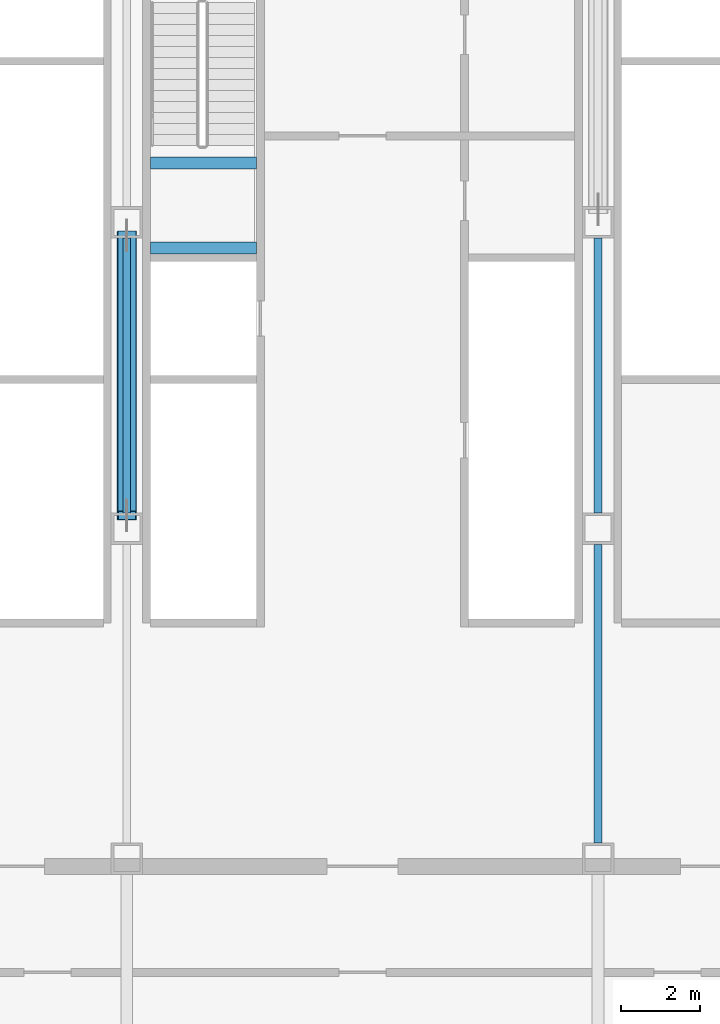
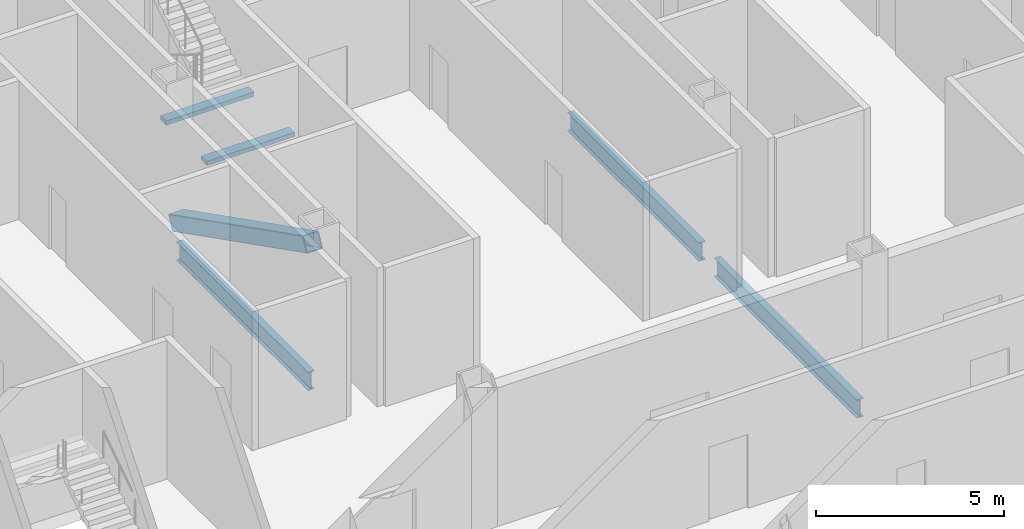
# One storey, part 12 of 34: 5 beams, 1 member.
"""IFC4 building model written with IfcOpenShell, lengths in metres."""

from ifc_helpers import new_model, si_unit, direction, frame, origin, origin_2d, place, context, subcontext, project, spatial, rectangle, hollow_rectangle, i_section, extrude, material, material_profile, profile_set, type_object, element, save


model = new_model("IFC4")

# Units and contexts
model_context = context("Model", 3, precision=1e-05, world=origin(), true_north=direction((0.0, 1.0)))
body_context = subcontext(model_context, "Body", "Model", "MODEL_VIEW")
ifc_project = project(units=[si_unit("LENGTHUNIT", "METRE"), si_unit("AREAUNIT", "SQUARE_METRE"), si_unit("VOLUMEUNIT", "CUBIC_METRE"), si_unit("PLANEANGLEUNIT", "RADIAN"), si_unit("MASSUNIT", "GRAM", prefix="KILO")], contexts=[model_context])

# Site, building, storey
site_placement = place(None, origin())
site = spatial("IfcSite", under=ifc_project, at=site_placement, CompositionType="ELEMENT")
building_placement = place(site_placement, origin())
building = spatial("IfcBuilding", under=site, at=building_placement, Name="Sorahane Residences", CompositionType="ELEMENT")
storey_placement = place(building_placement, frame((0.0, 0.0, 39.60009765625)))
storey = spatial("IfcBuildingStorey", under=building, at=storey_placement, Name="L06", CompositionType="ELEMENT", Elevation=39.60009765625)

# Member
ifc_material_1 = material(Name="Steel Q355B", Category="steel")
ifc_material_profile_1 = material_profile(ifc_material_1, hollow_rectangle(XDim=0.5, YDim=0.5, WallThickness=0.02490234375, InnerFilletRadius=0.012451171875, OuterFilletRadius=0.03759765625, at=origin_2d()), Name="RHS 500x500x25")
ifc_profile_set_1 = profile_set([ifc_material_profile_1], Name="Steel Q355B")
member_type = type_object("IfcMemberType", Name="Core brace RHS 500x500x25 Q355B", PredefinedType="BRACE", material=ifc_profile_set_1)
member_placement = place(storey_placement, frame((18.0, 37.4677734375, 0.215576171875), z_axis=(0.0, -0.891867740531, 0.452296289395), x_axis=(1.0, 0.0, 0.0)))
element("IfcMember", 1, at=member_placement, inside=storey, type_object=member_type, Name="Core brace L06 x18-1", PredefinedType="BRACE", context=body_context, shape_type="SweptSolid", body=[
    extrude(hollow_rectangle(XDim=0.5, YDim=0.5, WallThickness=0.02490234375, InnerFilletRadius=0.012451171875, OuterFilletRadius=0.03759765625, at=origin_2d()), origin(), (0.0, 0.0, 1.0), 8.000732421875),
])

# Beams
ifc_material_2 = material(Name="Concrete C40", Category="concrete")
ifc_material_profile_2 = material_profile(ifc_material_2, rectangle(XDim=0.300048828125, YDim=0.139892578125, at=origin_2d()), Name="300x140")
ifc_profile_set_2 = profile_set([ifc_material_profile_2], Name="Concrete C40")
beam_type_1 = type_object("IfcBeamType", Name="RC landing beam 300 x 140 Concrete C40", PredefinedType="BEAM", material=ifc_profile_set_2)
for number, where, z_axis, x_axis, name in (
    (2, (18.60009765625, 37.14990234375, 2.1298828125), (1.0, 0.0, 0.0), (0.0, 1.0, 0.0), "Landing beam"),
    (3, (18.60009765625, 39.31005859375, 2.1298828125), (1.0, 0.0, 0.0), (0.0, 1.0, 0.0), "Landing beam"),
):
    element("IfcBeam", number, at=place(storey_placement, frame(where, z_axis=z_axis, x_axis=x_axis)), inside=storey, type_object=beam_type_1, Name=name, PredefinedType="BEAM", context=body_context, shape_type="SweptSolid", body=[
        extrude(rectangle(XDim=0.300048828125, YDim=0.139892578125, at=origin_2d()), origin(), (0.0, 0.0, 1.0), 2.699951171875),
    ])
ifc_material_3 = material(Name="Steel Q355B", Category="steel")
ifc_material_profile_3 = material_profile(ifc_material_3, i_section(OverallWidth=0.199951171875, OverallDepth=0.60009765625, WebThickness=0.010986328125, FlangeThickness=0.01708984375, FilletRadius=0.02392578125, at=origin_2d()), Name="HN 600x200x11x17")
ifc_profile_set_3 = profile_set([ifc_material_profile_3], Name="Steel Q355B")
beam_type_2 = type_object("IfcBeamType", Name="Steel floor beam HN 600x200x11x17 Q355B", PredefinedType="BEAM", material=ifc_profile_set_3)
beam_1_placement = place(storey_placement, frame((18.0, 30.39990234375, -0.7001953125), z_axis=(0.0, 1.0, 0.0), x_axis=(-1.0, 0.0, 0.0)))
element("IfcBeam", 4, at=beam_1_placement, inside=storey, type_object=beam_type_2, Name="Beam L06 041", PredefinedType="BEAM", context=body_context, shape_type="SweptSolid", body=[
    extrude(i_section(OverallWidth=0.199951171875, OverallDepth=0.60009765625, WebThickness=0.010986328125, FlangeThickness=0.01708984375, FilletRadius=0.02392578125, at=origin_2d()), origin(), (0.0, 0.0, 1.0), 7.0),
])
beam_2_placement = place(storey_placement, frame((30.0, 22.0, -0.7001953125), z_axis=(0.0, 1.0, 0.0), x_axis=(-1.0, 0.0, 0.0)))
element("IfcBeam", 5, at=beam_2_placement, inside=storey, type_object=beam_type_2, Name="Beam L06 049", PredefinedType="BEAM", context=body_context, shape_type="SweptSolid", body=[
    extrude(i_section(OverallWidth=0.199951171875, OverallDepth=0.60009765625, WebThickness=0.010986328125, FlangeThickness=0.01708984375, FilletRadius=0.02392578125, at=origin_2d()), origin(), (0.0, 0.0, 1.0), 7.60009765625),
])
beam_3_placement = place(storey_placement, frame((30.0, 30.39990234375, -0.7001953125), z_axis=(0.0, 1.0, 0.0), x_axis=(-1.0, 0.0, 0.0)))
element("IfcBeam", 6, at=beam_3_placement, inside=storey, type_object=beam_type_2, Name="Beam L06 050", PredefinedType="BEAM", context=body_context, shape_type="SweptSolid", body=[
    extrude(i_section(OverallWidth=0.199951171875, OverallDepth=0.60009765625, WebThickness=0.010986328125, FlangeThickness=0.01708984375, FilletRadius=0.02392578125, at=origin_2d()), origin(), (0.0, 0.0, 1.0), 7.0),
])

save(model, "model.ifc")
